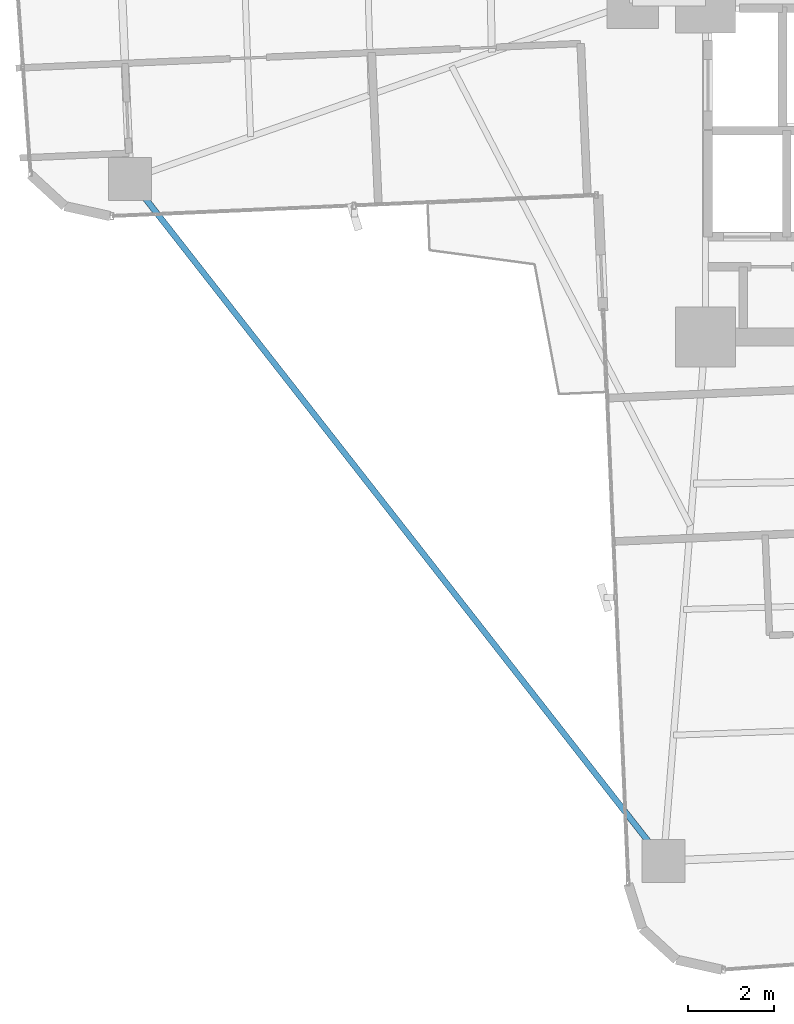
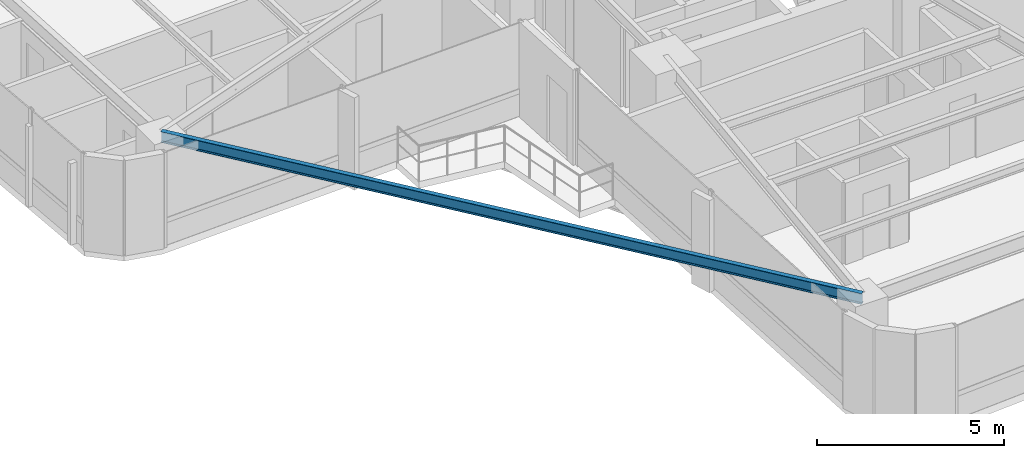
# One storey, part 3 of 26: 1 beam.
"""IFC4 building model written with IfcOpenShell, lengths in metres."""

from ifc_helpers import new_model, si_unit, direction, frame, origin, origin_2d, place, context, subcontext, project, spatial, i_section, extrude, source, transform, mapped, material, material_profile, profile_set, type_object, element, save


model = new_model("IFC4")

# Units and contexts
model_context = context("Model", 3, precision=1e-05, world=origin(), true_north=direction((0.0, 1.0)))
body_context = subcontext(model_context, "Body", "Model", "MODEL_VIEW")
ifc_project = project(units=[si_unit("LENGTHUNIT", "METRE"), si_unit("AREAUNIT", "SQUARE_METRE"), si_unit("VOLUMEUNIT", "CUBIC_METRE"), si_unit("PLANEANGLEUNIT", "RADIAN"), si_unit("MASSUNIT", "GRAM", prefix="KILO")], contexts=[model_context])

# Site, building, storey
site_placement = place(None, origin())
site = spatial("IfcSite", under=ifc_project, at=site_placement, CompositionType="ELEMENT")
building_placement = place(site_placement, origin())
building = spatial("IfcBuilding", under=site, at=building_placement, Name="Sahyath Konkavel Grand Hotel", CompositionType="ELEMENT")
storey_placement = place(building_placement, frame((0.0, 0.0, 124.85009765625)))
storey = spatial("IfcBuildingStorey", under=building, at=storey_placement, Name="L34", CompositionType="ELEMENT", Elevation=124.85009765625)

# Beam
ifc_material = material(Name="Steel E350", Category="steel")
ifc_material_profile = material_profile(ifc_material, i_section(OverallWidth=0.139892578125, OverallDepth=0.35009765625, WebThickness=0.008056640625, FlangeThickness=0.01416015625, FilletRadius=0.013916015625, at=origin_2d()), Name="ISMB 350")
ifc_profile_set = profile_set([ifc_material_profile], Name="Steel E350")
beam_type = type_object("IfcBeamType", Name="BM-ISMB350", PredefinedType="BEAM", material=ifc_profile_set)
shared_shape = source(origin(), body_context, "Body", "SweptSolid", [
    extrude(i_section(OverallWidth=0.139892578125, OverallDepth=0.35009765625, WebThickness=0.008056640625, FlangeThickness=0.01416015625, FilletRadius=0.013916015625, at=origin_2d()), origin(), (0.0, 0.0, 1.0), 20.215576171875),
])
beam_placement = place(storey_placement, frame((-17.232421875, -6.5078125, 2.934814453125), z_axis=(0.616176369687, -0.787608203004, 0.0), x_axis=(0.787608203004, 0.616176369687, 0.0)))
element("IfcBeam", 1, at=beam_placement, inside=storey, type_object=beam_type, Name="L34 Re-Entrant Tie Beam SW", PredefinedType="BEAM", context=body_context, shape_type="MappedRepresentation", body=[
    mapped(shared_shape, transform((0.0, 0.0, 0.0), scale=1.0)),
])

save(model, "model.ifc")
